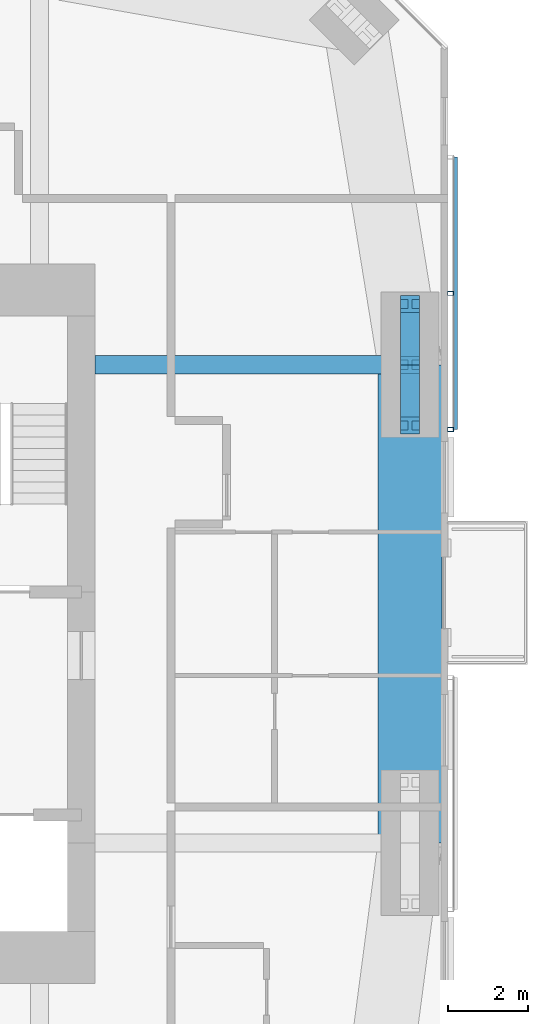
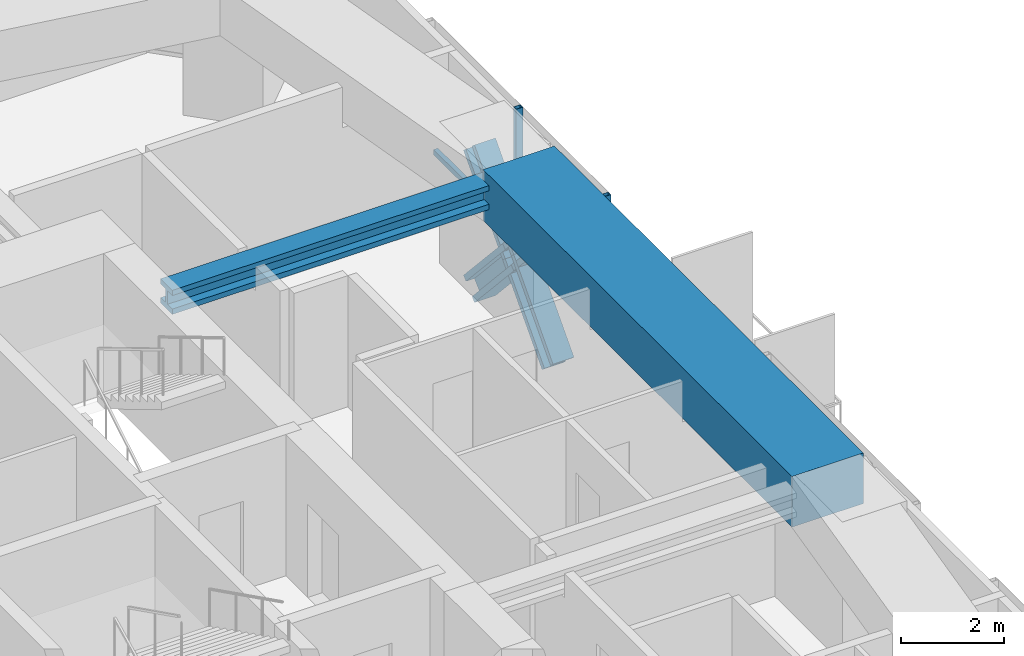
# One storey, part 8 of 22: 7 members, 2 beams, 1 element without a shape of its own.
"""IFC4 building model written with IfcOpenShell, lengths in metres."""

from ifc_helpers import new_model, si_unit, direction, frame, origin, origin_2d, place, context, subcontext, project, spatial, rectangle, hollow_rectangle, i_section, extrude, material, material_profile, profile_set, type_object, element, aggregate, save


model = new_model("IFC4")

# Units and contexts
model_context = context("Model", 3, precision=1e-05, world=origin(), true_north=direction((0.0, 1.0)))
body_context = subcontext(model_context, "Body", "Model", "MODEL_VIEW")
ifc_project = project(units=[si_unit("LENGTHUNIT", "METRE"), si_unit("AREAUNIT", "SQUARE_METRE"), si_unit("VOLUMEUNIT", "CUBIC_METRE"), si_unit("PLANEANGLEUNIT", "RADIAN"), si_unit("MASSUNIT", "GRAM", prefix="KILO")], contexts=[model_context])

# Site, building, storey
site_placement = place(None, origin())
site = spatial("IfcSite", under=ifc_project, at=site_placement, CompositionType="ELEMENT")
building_placement = place(site_placement, origin())
building = spatial("IfcBuilding", under=site, at=building_placement, Name="Jalousie Tower", CompositionType="ELEMENT")
storey_placement = place(building_placement, frame((0.0, 0.0, 201.25)))
storey = spatial("IfcBuildingStorey", under=building, at=storey_placement, Name="L55", CompositionType="ELEMENT", Elevation=201.25)

# Beam
ifc_material_1 = material(Name="Steel ASTM A992 Grade 50", Category="steel")
ifc_material_profile_1 = material_profile(ifc_material_1, i_section(OverallWidth=0.45458984375, OverallDepth=0.569091796875, WebThickness=0.077880859375, FlangeThickness=0.124755859375, at=origin_2d()), Name="W14X730")
ifc_profile_set_1 = profile_set([ifc_material_profile_1], Name="Steel ASTM A992 Grade 50")
beam_type_1 = type_object("IfcBeamType", Name="LEAN COLLECTOR W14X730", PredefinedType="BEAM", material=ifc_profile_set_1)
beam_1_placement = place(storey_placement, frame((52.050048828125, 25.0, 2.825439453125), z_axis=(-1.0, 0.0, 0.0), x_axis=(0.0, -1.0, 0.0)))
element("IfcBeam", 1, at=beam_1_placement, inside=storey, type_object=beam_type_1, Name="Lean collector under L56", PredefinedType="BEAM", context=body_context, shape_type="SweptSolid", body=[
    extrude(i_section(OverallWidth=0.45458984375, OverallDepth=0.569091796875, WebThickness=0.077880859375, FlangeThickness=0.124755859375, at=origin_2d()), origin(), (0.0, 0.0, 1.0), 7.900146484375),
])

# Members
ifc_material_2 = material(Name="Steel ASTM A992 Grade 50", Category="steel")
ifc_material_profile_2 = material_profile(ifc_material_2, i_section(OverallWidth=0.472412109375, OverallDepth=0.5791015625, WebThickness=0.094970703125, FlangeThickness=0.1298828125, at=origin_2d()), Name="W14X808")
ifc_profile_set_2 = profile_set([ifc_material_profile_2], Name="Steel ASTM A992 Grade 50")
member_type_1 = type_object("IfcMemberType", Name="PERIMETER BRACE W14X808", PredefinedType="BRACE", material=ifc_profile_set_2)
for number, where, z_axis, x_axis, name in (
    (2, (52.050048828125, 23.47509765625, -0.60009765625), (0.0, 0.673187629365, 0.739471713908), (-1.0, 0.0, 0.0), "Perimeter brace 07 L55 part 1"),
    (3, (52.050048828125, 25.0, 1.074951171875), (0.0, 0.673187629365, 0.739471713908), (-1.0, 0.0, 0.0), "Perimeter brace 07 L55 part 2"),
    (4, (52.050048828125, 26.52490234375, -0.60009765625), (0.0, -0.673187629365, 0.739471713908), (1.0, 0.0, 0.0), "Perimeter brace 07 L55 part 3"),
    (5, (52.050048828125, 25.0, 1.074951171875), (0.0, -0.673187629365, 0.739471713908), (1.0, 0.0, 0.0), "Perimeter brace 07 L55 part 4"),
):
    element("IfcMember", number, at=place(storey_placement, frame(where, z_axis=z_axis, x_axis=x_axis)), inside=storey, type_object=member_type_1, Name=name, PredefinedType="BRACE", context=body_context, shape_type="SweptSolid", body=[
        extrude(i_section(OverallWidth=0.472412109375, OverallDepth=0.5791015625, WebThickness=0.094970703125, FlangeThickness=0.1298828125, at=origin_2d()), origin(), (0.0, 0.0, 1.0), 2.26513671875),
    ])

# Beam
ifc_material_3 = material(Name="Concrete f'c 40 MPa", Category="concrete")
ifc_material_profile_3 = material_profile(ifc_material_3, rectangle(XDim=1.60009765625, YDim=1.199951171875, at=origin_2d()), Name="RC 1600x1200")
ifc_profile_set_3 = profile_set([ifc_material_profile_3], Name="Concrete f'c 40 MPa")
beam_type_2 = type_object("IfcBeamType", Name="RC BEAM 1600x1200", PredefinedType="BEAM", material=ifc_profile_set_3)
beam_2_placement = place(storey_placement, frame((52.050048828125, 13.0, 2.75), z_axis=(0.0, 1.0, 0.0), x_axis=(-1.0, 0.0, 0.0)))
element("IfcBeam", 6, at=beam_2_placement, inside=storey, type_object=beam_type_2, Name="Edge band beam 06-07 under L56", PredefinedType="BEAM", context=body_context, shape_type="SweptSolid", body=[
    extrude(rectangle(XDim=1.60009765625, YDim=1.199951171875, at=origin_2d()), origin(), (0.0, 0.0, 1.0), 12.0),
])

# Curtain wall, members
ifc_material_4 = material(Name="Perforated aluminium sheet", Category="aluminium")
curtain_wall_type = type_object("IfcCurtainWallType", Name="SOLAR SCREEN SS-1", PredefinedType="USERDEFINED", material=ifc_material_4)
curtain_wall_placement = place(storey_placement, origin())
curtain_wall = element("IfcCurtainWall", 7, at=curtain_wall_placement, inside=storey, type_object=curtain_wall_type, Name="Solar screen L55", ObjectType="SOLAR SCREEN SS-1", PredefinedType="USERDEFINED")
ifc_material_5 = material(Name="Steel ASTM A500 Grade C", Category="steel")
ifc_material_profile_4 = material_profile(ifc_material_5, hollow_rectangle(XDim=0.1015625, YDim=0.15234375, WallThickness=0.00634765625, at=origin_2d()), Name="HSS6X4X1/4")
ifc_profile_set_4 = profile_set([ifc_material_profile_4], Name="Steel ASTM A500 Grade C")
member_type_2 = type_object("IfcMemberType", Name="SOLAR SCREEN SS-1 MULLION", PredefinedType="MULLION", material=ifc_profile_set_4)
member_1_placement = place(storey_placement, frame((53.0712890625, 23.375, -0.1201171875), z_axis=(0.0, 0.0, 1.0), x_axis=(0.0, 1.0, 0.0)))
member_1 = element("IfcMember", 8, at=member_1_placement, type_object=member_type_2, Name="SS1 post 1", PredefinedType="MULLION", context=body_context, shape_type="SweptSolid", body=[
    extrude(hollow_rectangle(XDim=0.1015625, YDim=0.15234375, WallThickness=0.00634765625, at=origin_2d()), origin(), (0.0, 0.0, 1.0), 3.230224609375),
])
member_2_placement = place(storey_placement, frame((53.0712890625, 26.79345703125, -0.1201171875), z_axis=(0.0, 0.0, 1.0), x_axis=(0.0, 1.0, 0.0)))
member_2 = element("IfcMember", 9, at=member_2_placement, type_object=member_type_2, Name="SS1 post 2", PredefinedType="MULLION", context=body_context, shape_type="SweptSolid", body=[
    extrude(hollow_rectangle(XDim=0.1015625, YDim=0.15234375, WallThickness=0.00634765625, at=origin_2d()), origin(), (0.0, 0.0, 1.0), 3.230224609375),
])
ifc_material_6 = material(Name="Extruded aluminium screen rail", Category="aluminium")
ifc_material_profile_5 = material_profile(ifc_material_6, rectangle(XDim=0.1015625, YDim=0.1201171875, at=origin_2d()), Name="RAIL 102x120")
ifc_profile_set_5 = profile_set([ifc_material_profile_5], Name="Extruded aluminium screen rail")
member_type_3 = type_object("IfcMemberType", Name="SOLAR SCREEN SS-1 TRANSOM", PredefinedType="USERDEFINED", material=ifc_profile_set_5)
member_3_placement = place(storey_placement, frame((53.1982421875, 23.375, -0.06005859375), z_axis=(0.0, 1.0, 0.0), x_axis=(-1.0, 0.0, 0.0)))
member_3 = element("IfcMember", 10, at=member_3_placement, type_object=member_type_3, Name="SS1 rail", ObjectType="TRANSOM", PredefinedType="USERDEFINED", context=body_context, shape_type="SweptSolid", body=[
    extrude(rectangle(XDim=0.1015625, YDim=0.1201171875, at=origin_2d()), origin(), (0.0, 0.0, 1.0), 6.8369140625),
])
aggregate(curtain_wall, [member_1, member_2, member_3])

save(model, "model.ifc")
